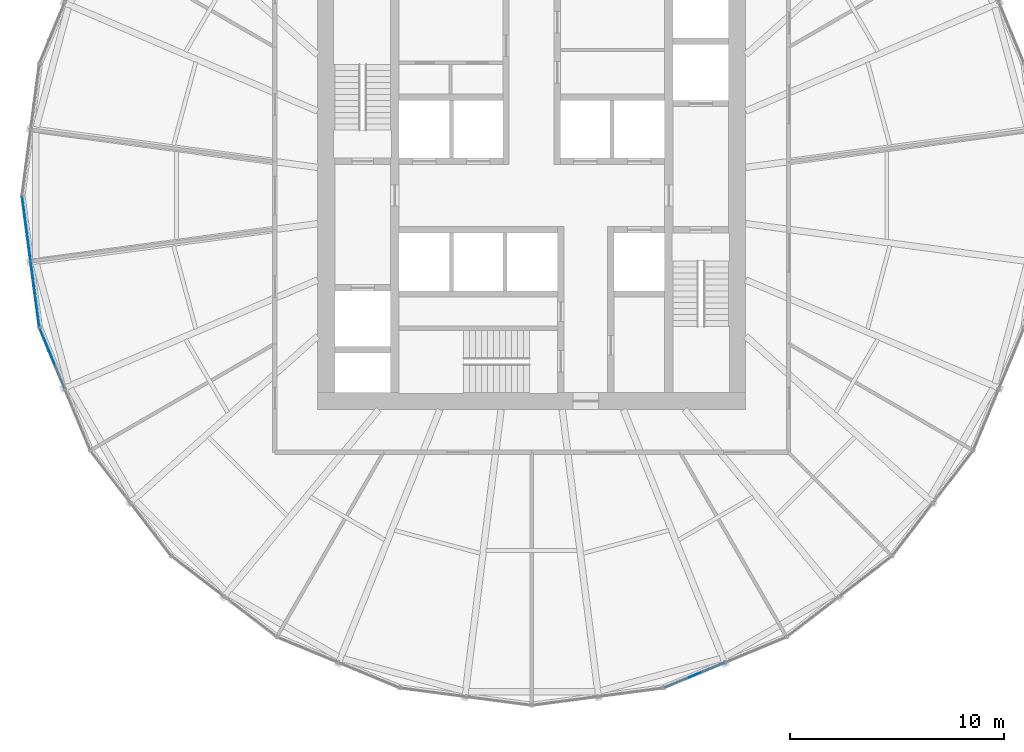
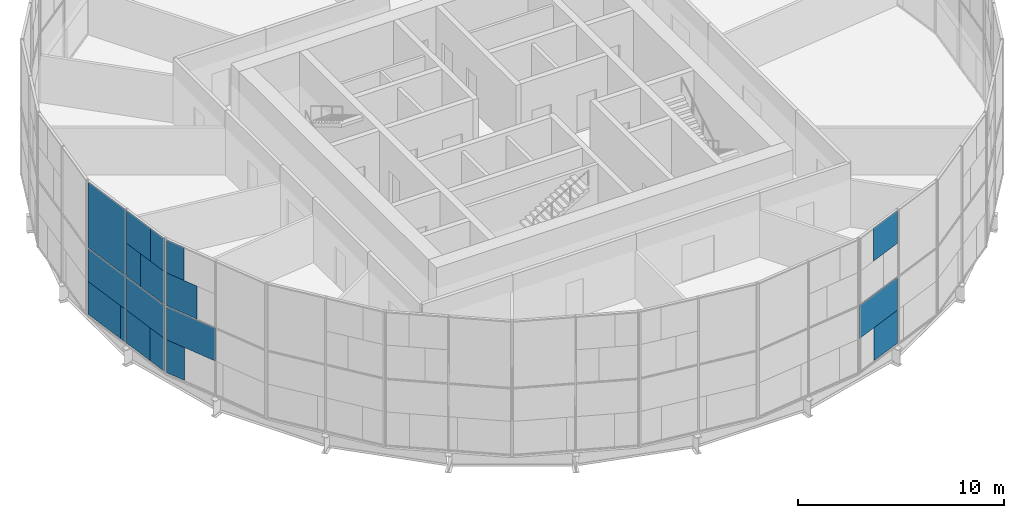
# One storey, part 9 of 18: 18 plates, 3 elements without a shape of their own.
"""IFC4 building model written with IfcOpenShell, lengths in metres."""

from ifc_helpers import new_model, si_unit, direction, frame, origin, origin_2d, place, context, subcontext, project, spatial, rectangle, extrude, material, layer, layer_set, type_object, element, aggregate, save


model = new_model("IFC4")

# Units and contexts
model_context = context("Model", 3, precision=1e-05, world=origin(), true_north=direction((0.0, 1.0)))
body_context = subcontext(model_context, "Body", "Model", "MODEL_VIEW")
ifc_project = project(units=[si_unit("LENGTHUNIT", "METRE"), si_unit("AREAUNIT", "SQUARE_METRE"), si_unit("VOLUMEUNIT", "CUBIC_METRE"), si_unit("PLANEANGLEUNIT", "RADIAN"), si_unit("MASSUNIT", "GRAM", prefix="KILO")], contexts=[model_context])

# Site, building, storey
site_placement = place(None, origin())
site = spatial("IfcSite", under=ifc_project, at=site_placement, CompositionType="ELEMENT")
building_placement = place(site_placement, origin())
building = spatial("IfcBuilding", under=site, at=building_placement, Name="Golbaran Civic Tower", CompositionType="ELEMENT")
storey_placement = place(building_placement, frame((0.0, 0.0, 61.0)))
storey = spatial("IfcBuildingStorey", under=building, at=storey_placement, Name="L14", CompositionType="ELEMENT", Elevation=61.0)

# Curtain wall, plates
ifc_material_1 = material(Name="Aluminium and glass", Category="aluminium")
curtain_wall_type = type_object("IfcCurtainWallType", Name="INNER SKIN CURTAIN WALL", PredefinedType="NOTDEFINED", material=ifc_material_1)
curtain_wall_1_placement = place(storey_placement, origin())
curtain_wall_1 = element("IfcCurtainWall", 1, at=curtain_wall_1_placement, inside=storey, type_object=curtain_wall_type, Name="Inner skin L14 facet 13 CW1", ObjectType="INNER SKIN", PredefinedType="USERDEFINED")
ifc_material_2 = material(Name="Clear insulating glass", Category="glass")
ifc_layer_1 = layer(ifc_material_2, 0.031982421875, Name="Clear insulating glass")
ifc_layer_set_1 = layer_set([ifc_layer_1], Name="Clear insulating glass")
plate_type_1 = type_object("IfcPlateType", Name="INNER SKIN CURTAIN WALL GLAZED PANEL", PredefinedType="CURTAIN_PANEL", material=ifc_layer_set_1)
plate_1_placement = place(storey_placement, frame((-23.638916015625, -1.353271484375, 0.06494140625), z_axis=(0.0, 0.0, 1.0), x_axis=(0.130526192185, -0.991444861378, 0.0)))
plate_1 = element("IfcPlate", 2, at=plate_1_placement, type_object=plate_type_1, Name="CW1 panel 1.1 part 1", PredefinedType="CURTAIN_PANEL", context=body_context, shape_type="SweptSolid", body=[
    extrude(rectangle(XDim=2.60009765625, YDim=0.031982421875, at=origin_2d()), origin(), (0.0, 0.0, 1.0), 1.951171875),
])
plate_2_placement = place(storey_placement, frame((-23.612060546875, -1.55712890625, 2.016357421875), z_axis=(0.0, 0.0, 1.0), x_axis=(0.130526192185, -0.991444861378, 0.0)))
plate_2 = element("IfcPlate", 3, at=plate_2_placement, type_object=plate_type_1, Name="CW1 panel 1.1 part 3", PredefinedType="CURTAIN_PANEL", context=body_context, shape_type="SweptSolid", body=[
    extrude(rectangle(XDim=3.01123046875, YDim=0.031982421875, at=origin_2d()), origin(), (0.0, 0.0, 1.0), 1.951171875),
])
plate_3_placement = place(storey_placement, frame((-23.612060546875, -1.55712890625, 4.0322265625), z_axis=(0.0, 0.0, 1.0), x_axis=(0.130526192185, -0.991444861378, 0.0)))
plate_3 = element("IfcPlate", 4, at=plate_3_placement, type_object=plate_type_1, Name="CW1 panel 1.2", PredefinedType="CURTAIN_PANEL", context=body_context, shape_type="SweptSolid", body=[
    extrude(rectangle(XDim=3.01123046875, YDim=0.031982421875, at=origin_2d()), origin(), (0.0, 0.0, 1.0), 3.902587890625),
])
plate_4_placement = place(storey_placement, frame((-23.087646484375, -5.5400390625, 0.06494140625), z_axis=(0.0, 0.0, 1.0), x_axis=(0.130526192185, -0.991444861378, 0.0)))
plate_4 = element("IfcPlate", 5, at=plate_4_placement, type_object=plate_type_1, Name="CW1 panel 2.1 part 2", PredefinedType="CURTAIN_PANEL", context=body_context, shape_type="SweptSolid", body=[
    extrude(rectangle(XDim=1.129150390625, YDim=0.031982421875, at=origin_2d()), origin(), (0.0, 0.0, 1.0), 1.951171875),
])
plate_5_placement = place(storey_placement, frame((-23.333740234375, -3.671630859375, 4.032470703125), z_axis=(0.0, 0.0, 1.0), x_axis=(0.130526192185, -0.991444861378, 0.0)))
plate_5 = element("IfcPlate", 6, at=plate_5_placement, type_object=plate_type_1, Name="CW1 panel 2.2 part 1", PredefinedType="CURTAIN_PANEL", context=body_context, shape_type="SweptSolid", body=[
    extrude(rectangle(XDim=1.1240234375, YDim=0.031982421875, at=origin_2d()), origin(), (0.0, 0.0, 1.0), 1.951171875),
])
plate_6_placement = place(storey_placement, frame((-23.2822265625, -4.062744140625, 5.98388671875), z_axis=(0.0, 0.0, 1.0), x_axis=(0.130526192185, -0.991444861378, 0.0)))
plate_6 = element("IfcPlate", 7, at=plate_6_placement, type_object=plate_type_1, Name="CW1 panel 2.2 part 3", PredefinedType="CURTAIN_PANEL", context=body_context, shape_type="SweptSolid", body=[
    extrude(rectangle(XDim=1.9130859375, YDim=0.031982421875, at=origin_2d()), origin(), (0.0, 0.0, 1.0), 1.951171875),
])

# Curtain wall, plate
curtain_wall_2_placement = place(storey_placement, origin())
curtain_wall_2 = element("IfcCurtainWall", 8, at=curtain_wall_2_placement, inside=storey, type_object=curtain_wall_type, Name="Inner skin L14 facet 14 CW1", ObjectType="INNER SKIN", PredefinedType="USERDEFINED")
plate_7_placement = place(storey_placement, frame((-22.7646484375, -6.745849609375, 0.06494140625), z_axis=(0.0, 0.0, 1.0), x_axis=(0.382683432381, -0.923879532505, 0.0)))
plate_7 = element("IfcPlate", 9, at=plate_7_placement, type_object=plate_type_1, Name="CW1 panel 1.1 part 1", PredefinedType="CURTAIN_PANEL", context=body_context, shape_type="SweptSolid", body=[
    extrude(rectangle(XDim=1.12890625, YDim=0.031982421875, at=origin_2d()), origin(), (0.0, 0.0, 1.0), 1.951171875),
])

curtain_wall_3_placement = place(storey_placement, origin())
curtain_wall_3 = element("IfcCurtainWall", 10, at=curtain_wall_3_placement, inside=storey, type_object=curtain_wall_type, Name="Inner skin L14 facet 20 CW1", ObjectType="INNER SKIN", PredefinedType="USERDEFINED")
plate_8_placement = place(storey_placement, frame((8.12255859375, -22.1943359375, 5.98388671875), z_axis=(0.0, 0.0, 1.0), x_axis=(0.923879532505, 0.382683432381, 0.0)))
plate_8 = element("IfcPlate", 11, at=plate_8_placement, type_object=plate_type_1, Name="CW1 panel 1.2 part 4", PredefinedType="CURTAIN_PANEL", context=body_context, shape_type="SweptSolid", body=[
    extrude(rectangle(XDim=1.913330078125, YDim=0.031982421875, at=origin_2d()), origin(), (0.0, 0.0, 1.0), 1.951171875),
])

# Plate
ifc_material_3 = material(Name="Aluminium faced opaque infill panel", Category="aluminium")
ifc_layer_2 = layer(ifc_material_3, 0.031982421875, Name="Aluminium faced opaque infill panel")
ifc_layer_set_2 = layer_set([ifc_layer_2], Name="Aluminium faced opaque infill panel")
plate_type_2 = type_object("IfcPlateType", Name="INNER SKIN CURTAIN WALL OPAQUE INFILL PANEL", PredefinedType="CURTAIN_PANEL", material=ifc_layer_set_2)
plate_9_placement = place(storey_placement, frame((-23.4423828125, -2.845947265625, 0.06494140625), z_axis=(0.0, 0.0, 1.0), x_axis=(0.130526192185, -0.991444861378, 0.0)))
plate_9 = element("IfcPlate", 12, at=plate_9_placement, type_object=plate_type_2, Name="CW1 infill panel 1.1 part 2", PredefinedType="CURTAIN_PANEL", context=body_context, shape_type="SweptSolid", body=[
    extrude(rectangle(XDim=0.4111328125, YDim=0.031982421875, at=origin_2d()), origin(), (0.0, 0.0, 1.0), 1.951171875),
])

plate_10_placement = place(storey_placement, frame((-23.2841796875, -4.04736328125, 0.06494140625), z_axis=(0.0, 0.0, 1.0), x_axis=(0.130526192185, -0.991444861378, 0.0)))
plate_10 = element("IfcPlate", 13, at=plate_10_placement, type_object=plate_type_2, Name="CW1 infill panel 2.1 part 1", PredefinedType="CURTAIN_PANEL", context=body_context, shape_type="SweptSolid", body=[
    extrude(rectangle(XDim=1.882080078125, YDim=0.031982421875, at=origin_2d()), origin(), (0.0, 0.0, 1.0), 1.951171875),
])

plate_11_placement = place(storey_placement, frame((-23.21044921875, -4.607177734375, 2.016357421875), z_axis=(0.0, 0.0, 1.0), x_axis=(0.130526192185, -0.991444861378, 0.0)))
plate_11 = element("IfcPlate", 14, at=plate_11_placement, type_object=plate_type_2, Name="CW1 infill panel 2.1 part 3", PredefinedType="CURTAIN_PANEL", context=body_context, shape_type="SweptSolid", body=[
    extrude(rectangle(XDim=3.01123046875, YDim=0.031982421875, at=origin_2d()), origin(), (0.0, 0.0, 1.0), 1.951171875),
])

plate_12_placement = place(storey_placement, frame((-23.13720703125, -5.164306640625, 4.032470703125), z_axis=(0.0, 0.0, 1.0), x_axis=(0.130526192185, -0.991444861378, 0.0)))
plate_12 = element("IfcPlate", 15, at=plate_12_placement, type_object=plate_type_2, Name="CW1 infill panel 2.2 part 2", PredefinedType="CURTAIN_PANEL", context=body_context, shape_type="SweptSolid", body=[
    extrude(rectangle(XDim=1.88720703125, YDim=0.031982421875, at=origin_2d()), origin(), (0.0, 0.0, 1.0), 1.951171875),
])

plate_13_placement = place(storey_placement, frame((-23.085693359375, -5.555419921875, 5.98388671875), z_axis=(0.0, 0.0, 1.0), x_axis=(0.130526192185, -0.991444861378, 0.0)))
plate_13 = element("IfcPlate", 16, at=plate_13_placement, type_object=plate_type_2, Name="CW1 infill panel 2.2 part 4", PredefinedType="CURTAIN_PANEL", context=body_context, shape_type="SweptSolid", body=[
    extrude(rectangle(XDim=1.09814453125, YDim=0.031982421875, at=origin_2d()), origin(), (0.0, 0.0, 1.0), 1.951171875),
])

aggregate(curtain_wall_1, [plate_1, plate_9, plate_2, plate_3, plate_10, plate_4, plate_11, plate_5, plate_12, plate_6, plate_13])

plate_14_placement = place(storey_placement, frame((-22.404296875, -7.615478515625, 2.016357421875), z_axis=(0.0, 0.0, 1.0), x_axis=(0.382683432381, -0.923879532505, 0.0)))
plate_14 = element("IfcPlate", 17, at=plate_14_placement, type_object=plate_type_2, Name="CW1 infill panel 1.1 part 3", PredefinedType="CURTAIN_PANEL", context=body_context, shape_type="SweptSolid", body=[
    extrude(rectangle(XDim=3.01123046875, YDim=0.031982421875, at=origin_2d()), origin(), (0.0, 0.0, 1.0), 1.951171875),
])

plate_15_placement = place(storey_placement, frame((-22.61962890625, -7.095947265625, 4.032470703125), z_axis=(0.0, 0.0, 1.0), x_axis=(0.382683432381, -0.923879532505, 0.0)))
plate_15 = element("IfcPlate", 18, at=plate_15_placement, type_object=plate_type_2, Name="CW1 infill panel 1.2 part 1", PredefinedType="CURTAIN_PANEL", context=body_context, shape_type="SweptSolid", body=[
    extrude(rectangle(XDim=1.886962890625, YDim=0.031982421875, at=origin_2d()), origin(), (0.0, 0.0, 1.0), 1.951171875),
])

plate_16_placement = place(storey_placement, frame((-22.7705078125, -6.7314453125, 5.98388671875), z_axis=(0.0, 0.0, 1.0), x_axis=(0.382683432381, -0.923879532505, 0.0)))
plate_16 = element("IfcPlate", 19, at=plate_16_placement, type_object=plate_type_2, Name="CW1 infill panel 1.2 part 3", PredefinedType="CURTAIN_PANEL", context=body_context, shape_type="SweptSolid", body=[
    extrude(rectangle(XDim=1.097900390625, YDim=0.031982421875, at=origin_2d()), origin(), (0.0, 0.0, 1.0), 1.951171875),
])

aggregate(curtain_wall_2, [plate_7, plate_14, plate_15, plate_16])

plate_17_placement = place(storey_placement, frame((8.136962890625, -22.1884765625, 0.06494140625), z_axis=(0.0, 0.0, 1.0), x_axis=(0.923879532505, 0.382683432381, 0.0)))
plate_17 = element("IfcPlate", 20, at=plate_17_placement, type_object=plate_type_2, Name="CW1 infill panel 1.1 part 2", PredefinedType="CURTAIN_PANEL", context=body_context, shape_type="SweptSolid", body=[
    extrude(rectangle(XDim=1.88232421875, YDim=0.031982421875, at=origin_2d()), origin(), (0.0, 0.0, 1.0), 1.951171875),
])

plate_18_placement = place(storey_placement, frame((7.615478515625, -22.404296875, 2.016357421875), z_axis=(0.0, 0.0, 1.0), x_axis=(0.923879532505, 0.382683432381, 0.0)))
plate_18 = element("IfcPlate", 21, at=plate_18_placement, type_object=plate_type_2, Name="CW1 infill panel 1.1 part 3", PredefinedType="CURTAIN_PANEL", context=body_context, shape_type="SweptSolid", body=[
    extrude(rectangle(XDim=3.01123046875, YDim=0.031982421875, at=origin_2d()), origin(), (0.0, 0.0, 1.0), 1.951171875),
])

aggregate(curtain_wall_3, [plate_17, plate_18, plate_8])

save(model, "model.ifc")
